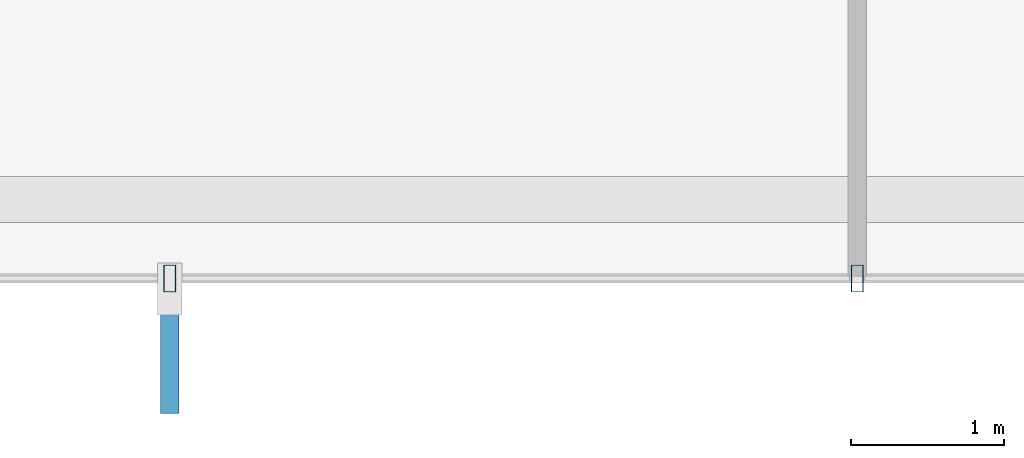
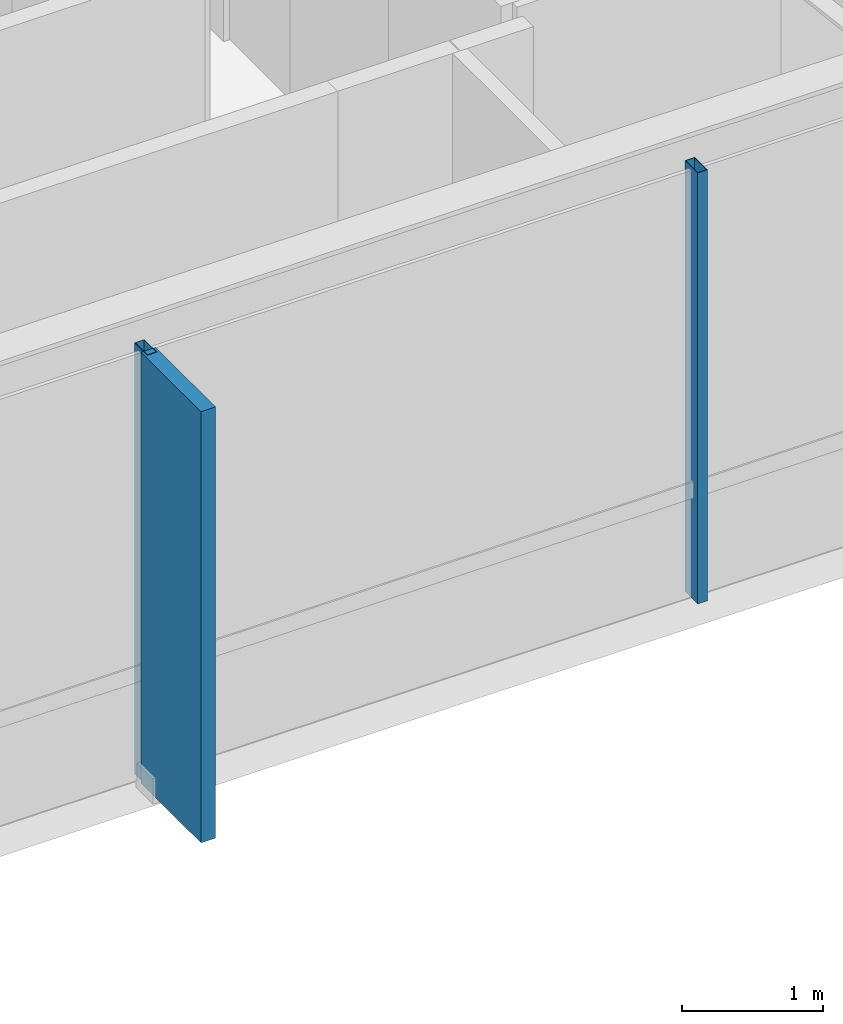
# One storey, part 8 of 25: 3 members, 1 element without a shape of its own.
"""IFC4 building model written with IfcOpenShell, lengths in metres."""

import ifcopenshell
import ifcopenshell.guid

model = None  # the IFC model being written
_history = None  # IfcOwnerHistory: only IFC2X3 demands one
_inside = {}  # id of a spatial element -> (the spatial element, [elements in it])
_under = {}  # id of a project, library or spatial element -> (it, [spatial elements below it])
_declared = {}  # id of a project -> (the project, [libraries it declares])
_typed = {}  # id of a type object -> (the type object, [elements of that type])
_made_of = {}  # id of a material, layer set ... -> (it, [elements and type objects made of it])


def new_model(schema):
    """Start an empty IFC model of exactly this schema.

    Asked for "IFC4X3", IfcOpenShell would pick the latest addendum, in which some entities
    have other attributes; the version numbers below select the first issue.
    IFC2X3 requires an IfcOwnerHistory on every rooted entity: one is made here for all.
    """
    global model, _history
    if schema == "IFC4X3":
        model = ifcopenshell.file(schema_version=(4, 3, 0, 0))
    else:
        model = ifcopenshell.file(schema=schema)
    _inside.clear()
    _under.clear()
    _declared.clear()
    _typed.clear()
    _made_of.clear()
    _history = None
    if model.schema == "IFC2X3":
        org = make("IfcOrganization", Name="unknown")
        user = make(
            "IfcPersonAndOrganization",
            ThePerson=make("IfcPerson", FamilyName="unknown"),
            TheOrganization=org,
        )
        app = make(
            "IfcApplication",
            ApplicationDeveloper=org,
            Version="unknown",
            ApplicationFullName="unknown",
            ApplicationIdentifier="unknown",
        )
        _history = make(
            "IfcOwnerHistory",
            OwningUser=user,
            OwningApplication=app,
            ChangeAction="ADDED",
            CreationDate=0,
        )
    return model


def make(cls, **values):
    """One entity of the class cls with the attributes given. An attribute that is None is left unset."""
    return model.create_entity(
        cls, **{name: value for name, value in values.items() if value is not None}
    )


def rooted(cls, **values):
    """An entity with a GlobalId (a new one), such as an element, a storey or a relation."""
    return make(cls, GlobalId=ifcopenshell.guid.new(), OwnerHistory=_history, **values)


def si_unit(unit_type, name, prefix=None):
    """IfcSIUnit, for example si_unit("LENGTHUNIT", "METRE", prefix="MILLI")."""
    return make("IfcSIUnit", UnitType=unit_type, Prefix=prefix, Name=name)


def assignment(units):
    """IfcUnitAssignment: the units of a project."""
    return None if units is None else make("IfcUnitAssignment", Units=units)


def point(xyz):
    """IfcCartesianPoint."""
    return None if xyz is None else make("IfcCartesianPoint", Coordinates=xyz)


def direction(xyz):
    """IfcDirection."""
    return None if xyz is None else make("IfcDirection", DirectionRatios=xyz)


def frame(location, z_axis=None, x_axis=None):
    """IfcAxis2Placement3D, a coordinate frame: its origin and axes. An axis left out is left unset."""
    return make(
        "IfcAxis2Placement3D",
        Location=point(location),
        Axis=direction(z_axis),
        RefDirection=direction(x_axis),
    )


def frame_2d(location, x_axis=None):
    """IfcAxis2Placement2D, a coordinate frame in the plane: its origin and x axis."""
    return make(
        "IfcAxis2Placement2D", Location=point(location), RefDirection=direction(x_axis)
    )


def origin():
    """The frame at (0, 0, 0) with its axes left unset."""
    return frame((0.0, 0.0, 0.0))


def origin_2d():
    """The frame at (0, 0) in the plane with its x axis left unset."""
    return frame_2d((0.0, 0.0))


def place(relative_to, where):
    """IfcLocalPlacement: puts the frame where relative to a parent placement (None: the world)."""
    return make(
        "IfcLocalPlacement", PlacementRelTo=relative_to, RelativePlacement=where
    )


def context(
    kind, dimensions, precision=None, world=None, true_north=None, identifier=None
):
    """IfcGeometricRepresentationContext, for example the 3D "Model" context."""
    return make(
        "IfcGeometricRepresentationContext",
        ContextIdentifier=identifier,
        ContextType=kind,
        CoordinateSpaceDimension=dimensions,
        Precision=precision,
        WorldCoordinateSystem=world,
        TrueNorth=true_north,
    )


def subcontext(parent, identifier, kind, view, scale=None):
    """IfcGeometricRepresentationSubContext, for example "Body" below "Model"."""
    return make(
        "IfcGeometricRepresentationSubContext",
        ContextIdentifier=identifier,
        ContextType=kind,
        ParentContext=parent,
        TargetScale=scale,
        TargetView=view,
    )


def project(units=None, contexts=None):
    """IfcProject with its units and contexts."""
    return rooted(
        "IfcProject",
        Name="project",
        RepresentationContexts=contexts,
        UnitsInContext=assignment(units),
    )


def spatial(cls, under=None, at=None, **own):
    """A site, building, storey or space (cls), placed at a placement, below another one or the project."""
    s = rooted(cls, ObjectPlacement=at, **own)
    if under is not None:
        _under.setdefault(under.id(), (under, []))[1].append(s)
    return s


def profile(cls, at=None, kind="AREA", **sizes):
    """A parametric profile (cls). Its sizes go by their IFC names, for example OverallWidth=200.0."""
    return make(cls, ProfileType=kind, Position=at, **sizes)


def rectangle(**sizes):
    """IfcRectangleProfileDef."""
    return profile("IfcRectangleProfileDef", **sizes)


def hollow_rectangle(**sizes):
    """IfcRectangleHollowProfileDef."""
    return profile("IfcRectangleHollowProfileDef", **sizes)


def extrude(swept, where, along, depth):
    """IfcExtrudedAreaSolid: the profile swept, set in the frame where, extruded along a direction by depth."""
    return make(
        "IfcExtrudedAreaSolid",
        SweptArea=swept,
        Position=where,
        ExtrudedDirection=direction(along),
        Depth=depth,
    )


def shape(context_of_items, identifier, shape_type, items):
    """IfcShapeRepresentation: the items that make up one representation, for example the "Body"."""
    return make(
        "IfcShapeRepresentation",
        ContextOfItems=context_of_items,
        RepresentationIdentifier=identifier,
        RepresentationType=shape_type,
        Items=items,
    )


def material(Name=None, Category=None):
    """IfcMaterial."""
    return make("IfcMaterial", Name=Name, Category=Category)


def layer(
    of_material, thickness, ventilated=None, Name=None, Category=None, Priority=None
):
    """IfcMaterialLayer: one layer of a wall or slab, of a material (None: an air gap)."""
    return make(
        "IfcMaterialLayer",
        Material=of_material,
        LayerThickness=thickness,
        IsVentilated=ventilated,
        Name=Name,
        Category=Category,
        Priority=Priority,
    )


def layer_set(layers, Name=None):
    """IfcMaterialLayerSet."""
    return make("IfcMaterialLayerSet", MaterialLayers=layers, LayerSetName=Name)


def material_profile(
    of_material, cross_section, Name=None, Category=None, Priority=None
):
    """IfcMaterialProfile: a cross section and its material."""
    return make(
        "IfcMaterialProfile",
        Name=Name,
        Material=of_material,
        Profile=cross_section,
        Priority=Priority,
        Category=Category,
    )


def profile_set(profiles, Name=None, composite=None):
    """IfcMaterialProfileSet."""
    return make(
        "IfcMaterialProfileSet",
        Name=Name,
        MaterialProfiles=profiles,
        CompositeProfile=composite,
    )


def made_of(thing, what):
    """Note that an element or type object is made of a material, layer set ...; save() writes the relation."""
    if what is not None:
        _made_of.setdefault(what.id(), (what, []))[1].append(thing)
    return thing


def type_object(cls, material=None, **own):
    """A type object (cls), such as IfcWallType, which elements share."""
    return made_of(rooted(cls, **own), material)


def element(
    cls,
    number,
    at=None,
    inside=None,
    cuts=None,
    type_object=None,
    material=None,
    context=None,
    identifier="Body",
    shape_type=None,
    held_by="IfcProductDefinitionShape",
    body=None,
    shapes=None,
    **own,
):
    """One element of the class cls, such as IfcWall. Its Tag is "e" and its number.

    at: its placement. inside: the storey or other place that contains it. cuts: it is an
    opening in that element (IfcRelVoidsElement). A single representation is given by context,
    identifier, shape_type and body (its items); several are given by shapes. held_by: the class
    of the entity that holds the representations. save() writes the other relations.
    """
    e = rooted(cls, Tag="e%d" % number, ObjectPlacement=at, **own)
    if body is not None:
        shapes = [shape(context, identifier, shape_type, body)]
    if shapes is not None:
        e.Representation = make(held_by, Representations=shapes)
    if inside is not None:
        _inside.setdefault(inside.id(), (inside, []))[1].append(e)
    if cuts is not None:
        rooted(
            "IfcRelVoidsElement", RelatingBuildingElement=cuts, RelatedOpeningElement=e
        )
    if type_object is not None:
        _typed.setdefault(type_object.id(), (type_object, []))[1].append(e)
    return made_of(e, material)


def aggregate(whole, parts):
    """IfcRelAggregates: a whole, such as a stair, and the parts it consists of."""
    return rooted("IfcRelAggregates", RelatingObject=whole, RelatedObjects=parts)


def save(model, path):
    """Write the relations noted so far, then the file.

    IfcRelAggregates (storeys below a building ...), IfcRelContainedInSpatialStructure (elements
    in a storey), IfcRelDefinesByType, IfcRelAssociatesMaterial and IfcRelDeclares: one each for
    every whole, place, type object, material and project.
    """
    for whole, parts in _under.values():
        aggregate(whole, parts)
    for where, things in _inside.values():
        rooted(
            "IfcRelContainedInSpatialStructure",
            RelatedElements=things,
            RelatingStructure=where,
        )
    for kind, things in _typed.values():
        rooted("IfcRelDefinesByType", RelatedObjects=things, RelatingType=kind)
    for what, things in _made_of.values():
        rooted("IfcRelAssociatesMaterial", RelatedObjects=things, RelatingMaterial=what)
    for by, libraries in _declared.values():
        rooted("IfcRelDeclares", RelatingContext=by, RelatedDefinitions=libraries)
    model.write(path)


model = new_model("IFC4")

# Units and contexts
model_context = context("Model", 3, precision=1e-05, world=origin(), true_north=direction((0.0, 1.0)))
body_context = subcontext(model_context, "Body", "Model", "MODEL_VIEW")
ifc_project = project(units=[si_unit("LENGTHUNIT", "METRE"), si_unit("AREAUNIT", "SQUARE_METRE"), si_unit("VOLUMEUNIT", "CUBIC_METRE"), si_unit("PLANEANGLEUNIT", "RADIAN"), si_unit("MASSUNIT", "GRAM", prefix="KILO")], contexts=[model_context])

# Site, building, storey
site_placement = place(None, origin())
site = spatial("IfcSite", under=ifc_project, at=site_placement, CompositionType="ELEMENT")
building_placement = place(site_placement, origin())
building = spatial("IfcBuilding", under=site, at=building_placement, Name="Zarrinselat Tower", CompositionType="ELEMENT")
storey_placement = place(building_placement, frame((0.0, 0.0, 105.06005859375)))
storey = spatial("IfcBuildingStorey", under=building, at=storey_placement, Name="L25", CompositionType="ELEMENT", Elevation=105.06005859375)

# Curtain wall, members
ifc_material_1 = material(Name="Extruded Aluminium Alloy EN AW-6063 T6", Category="aluminium")
ifc_layer = layer(ifc_material_1, 0.18505859375)
ifc_layer_set = layer_set([ifc_layer], Name="Extruded Aluminium Alloy EN AW-6063 T6")
curtain_wall_type = type_object("IfcCurtainWallType", Name="CWS-OFF", PredefinedType="NOTDEFINED", material=ifc_layer_set)
curtain_wall_placement = place(storey_placement, origin())
curtain_wall = element("IfcCurtainWall", 1, at=curtain_wall_placement, inside=storey, type_object=curtain_wall_type, Name="L25 Unitised Curtain Wall CW-L25-E04", PredefinedType="NOTDEFINED")
ifc_material_2 = material(Name="Extruded Aluminium Alloy EN AW-6063 T6", Category="aluminium")
ifc_material_profile_1 = material_profile(ifc_material_2, hollow_rectangle(XDim=0.080078125, YDim=0.179931640625, WallThickness=0.0048828125, at=origin_2d()), Name="RHS 180x80x5")
ifc_profile_set_1 = profile_set([ifc_material_profile_1], Name="Extruded Aluminium Alloy EN AW-6063 T6")
member_type_1 = type_object("IfcMemberType", Name="MEM-CW-MUL", PredefinedType="MULLION", material=ifc_profile_set_1)
member_1_placement = place(storey_placement, frame((40.294921875, 18.32568359375, 0.0), z_axis=(0.0, 0.0, 1.0), x_axis=(1.0, 0.0, 0.0)))
member_1 = element("IfcMember", 2, at=member_1_placement, type_object=member_type_1, Name="CW-L25-E04 Mullion 3", PredefinedType="MULLION", context=body_context, shape_type="SweptSolid", body=[
    extrude(hollow_rectangle(XDim=0.080078125, YDim=0.179931640625, WallThickness=0.0048828125, at=origin_2d()), origin(), (0.0, 0.0, 1.0), 3.72998046875),
])
member_2_placement = place(storey_placement, frame((44.800048828125, 18.32568359375, 0.0), z_axis=(0.0, 0.0, 1.0), x_axis=(1.0, 0.0, 0.0)))
member_2 = element("IfcMember", 3, at=member_2_placement, type_object=member_type_1, Name="CW-L25-E04 Mullion 4", PredefinedType="MULLION", context=body_context, shape_type="SweptSolid", body=[
    extrude(hollow_rectangle(XDim=0.080078125, YDim=0.179931640625, WallThickness=0.0048828125, at=origin_2d()), origin(), (0.0, 0.0, 1.0), 3.72998046875),
])
ifc_material_3 = material(Name="Honed Cream Travertine Stone", Category="masonry")
ifc_material_profile_2 = material_profile(ifc_material_3, rectangle(XDim=0.1201171875, YDim=0.85009765625, at=origin_2d()), Name="FIN 850x120")
ifc_profile_set_2 = profile_set([ifc_material_profile_2], Name="Honed Cream Travertine Stone")
member_type_2 = type_object("IfcMemberType", Name="MEM-STONE-FIN", PredefinedType="USERDEFINED", material=ifc_profile_set_2)
member_3_placement = place(storey_placement, frame((40.294921875, 17.865478515625, 0.0), z_axis=(0.0, 0.0, 1.0), x_axis=(-1.0, 0.0, 0.0)))
member_3 = element("IfcMember", 4, at=member_3_placement, type_object=member_type_2, Name="L25 Stone Shading Fin CW-L25-E04-03", ObjectType="FIN", PredefinedType="USERDEFINED", context=body_context, shape_type="SweptSolid", body=[
    extrude(rectangle(XDim=0.1201171875, YDim=0.85009765625, at=origin_2d()), origin(), (0.0, 0.0, 1.0), 3.72998046875),
])
aggregate(curtain_wall, [member_1, member_3, member_2])

save(model, "model.ifc")
